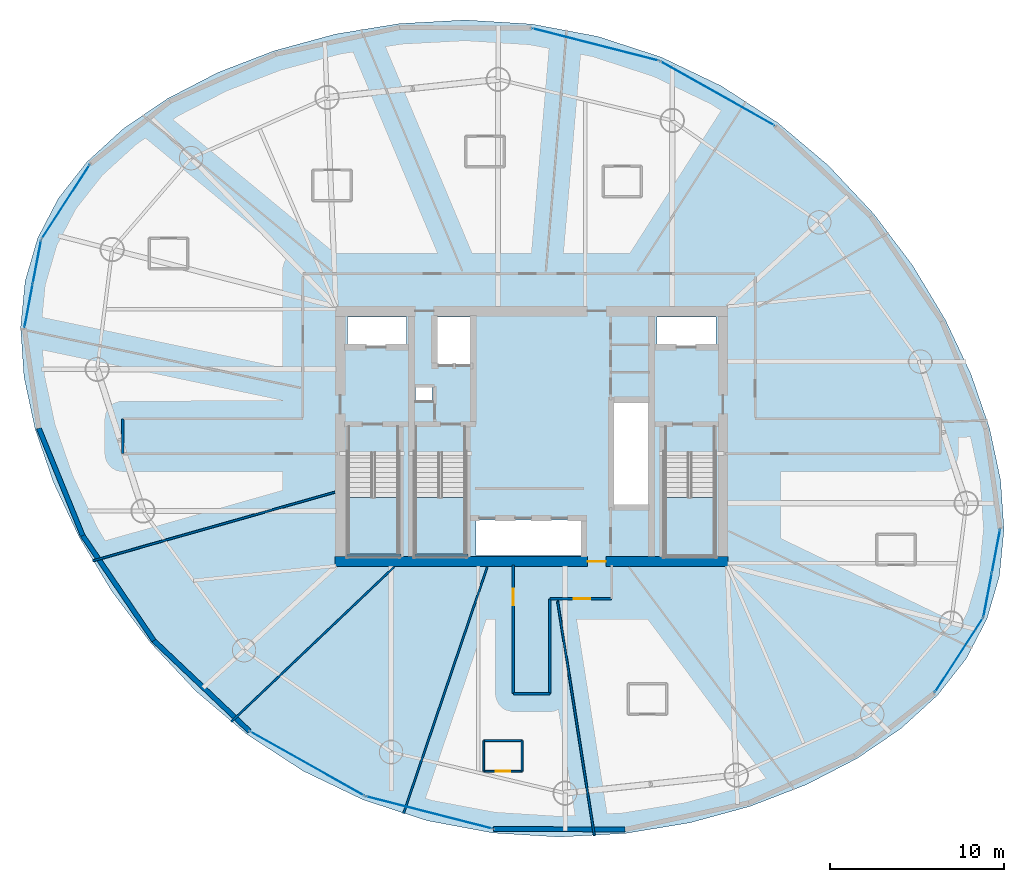
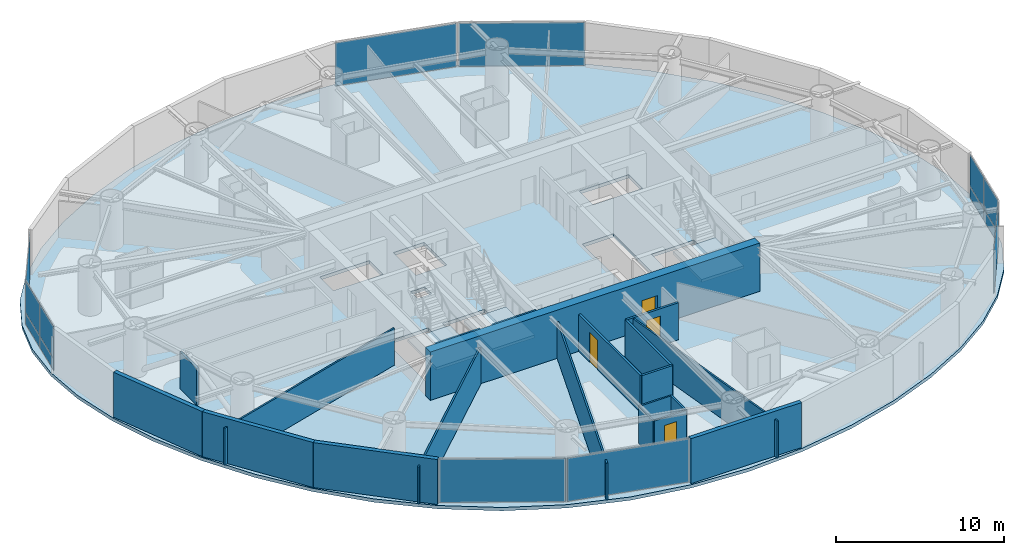
# One storey, part 15 of 22: 20 walls, 14 plates, 4 doors, 4 slabs, 4 openings, 11 elements without a shape of their own.
"""IFC4 building model written with IfcOpenShell, lengths in metres."""

from ifc_helpers import new_model, si_unit, direction, frame, frame_2d, origin, origin_2d, place, context, subcontext, project, spatial, polyline, rectangle, outline, extrude, material, layer, layer_set, type_object, element, fill, aggregate, save


model = new_model("IFC4")

# Units and contexts
model_context = context("Model", 3, precision=1e-05, world=origin(), true_north=direction((0.0, 1.0)))
body_context = subcontext(model_context, "Body", "Model", "MODEL_VIEW")
ifc_project = project(units=[si_unit("LENGTHUNIT", "METRE"), si_unit("AREAUNIT", "SQUARE_METRE"), si_unit("VOLUMEUNIT", "CUBIC_METRE"), si_unit("PLANEANGLEUNIT", "RADIAN"), si_unit("MASSUNIT", "GRAM", prefix="KILO")], contexts=[model_context])

# Site, building, storey
site_placement = place(None, origin())
site = spatial("IfcSite", under=ifc_project, at=site_placement, CompositionType="ELEMENT")
building_placement = place(site_placement, origin())
building = spatial("IfcBuilding", under=site, at=building_placement, Name="Bramvorn Convention Spire", CompositionType="ELEMENT")
storey_placement = place(building_placement, frame((0.0, 0.0, 120.300048828125)))
storey = spatial("IfcBuildingStorey", under=building, at=storey_placement, Name="L29", CompositionType="ELEMENT", Elevation=120.300048828125)

# Curtain wall, plates
ifc_material_1 = material(Name="Anodised Bronze Unitised Curtain Wall", Category="aluminium")
ifc_layer_1 = layer(ifc_material_1, 0.179931640625)
ifc_layer_set_1 = layer_set([ifc_layer_1], Name="Anodised Bronze Unitised Curtain Wall - CW-HTL-FRIT")
curtain_wall_type = type_object("IfcCurtainWallType", Name="CW-HTL-FRIT", PredefinedType="USERDEFINED", material=ifc_layer_set_1)
curtain_wall_1_placement = place(storey_placement, origin())
curtain_wall_1 = element("IfcCurtainWall", 1, at=curtain_wall_1_placement, inside=storey, type_object=curtain_wall_type, Name="L29 fritted glass curtain wall 01", ObjectType="UNITISED CURTAIN WALL", PredefinedType="USERDEFINED")
ifc_material_2 = material(Name="Laminated Low-E Glass (Triple IGU Tapered Ceramic Frit 40%)", Category="glass")
ifc_layer_2 = layer(ifc_material_2, 0.0380859375)
ifc_layer_set_2 = layer_set([ifc_layer_2], Name="Laminated Low-E Glass (Triple IGU Tapered Ceramic Frit 40%) - PNL-IGU-2")
plate_type = type_object("IfcPlateType", Name="PNL-IGU-2", PredefinedType="CURTAIN_PANEL", material=ifc_layer_set_2)
plate_1_placement = place(storey_placement, frame((64.6923828125, 19.384033203125, 0.059814453125), z_axis=(0.0, 0.0, 1.0), x_axis=(-0.18688652933, -0.982381506928, 0.0)))
plate_1 = element("IfcPlate", 2, at=plate_1_placement, type_object=plate_type, Name="CW2 panel 1.1", PredefinedType="CURTAIN_PANEL", context=body_context, shape_type="SweptSolid", body=[
    extrude(rectangle(XDim=2.4970703125, YDim=0.028076171875, at=origin_2d()), origin(), (0.0, 0.0, 1.0), 0.81005859375),
])
plate_2_placement = place(storey_placement, frame((64.6923828125, 19.384033203125, 0.929931640625), z_axis=(0.0, 0.0, 1.0), x_axis=(-0.18688652933, -0.982381506928, 0.0)))
plate_2 = element("IfcPlate", 3, at=plate_2_placement, type_object=plate_type, Name="CW2 panel 1.2", PredefinedType="CURTAIN_PANEL", context=body_context, shape_type="SweptSolid", body=[
    extrude(rectangle(XDim=2.4970703125, YDim=0.028076171875, at=origin_2d()), origin(), (0.0, 0.0, 1.0), 2.27001953125),
])
plate_3_placement = place(storey_placement, frame((64.214599609375, 16.8720703125, 0.059814453125), z_axis=(0.0, 0.0, 1.0), x_axis=(-0.18688652933, -0.982381506928, 0.0)))
plate_3 = element("IfcPlate", 4, at=plate_3_placement, type_object=plate_type, Name="CW2 panel 2.1", PredefinedType="CURTAIN_PANEL", context=body_context, shape_type="SweptSolid", body=[
    extrude(rectangle(XDim=2.4970703125, YDim=0.028076171875, at=origin_2d()), origin(), (0.0, 0.0, 1.0), 0.81005859375),
])
plate_4_placement = place(storey_placement, frame((64.214599609375, 16.8720703125, 0.929931640625), z_axis=(0.0, 0.0, 1.0), x_axis=(-0.18688652933, -0.982381506928, 0.0)))
plate_4 = element("IfcPlate", 5, at=plate_4_placement, type_object=plate_type, Name="CW2 panel 2.2", PredefinedType="CURTAIN_PANEL", context=body_context, shape_type="SweptSolid", body=[
    extrude(rectangle(XDim=2.4970703125, YDim=0.028076171875, at=origin_2d()), origin(), (0.0, 0.0, 1.0), 2.27001953125),
])
aggregate(curtain_wall_1, [plate_1, plate_2, plate_3, plate_4])

# Curtain wall, plate
curtain_wall_2_placement = place(storey_placement, origin())
curtain_wall_2 = element("IfcCurtainWall", 6, at=curtain_wall_2_placement, inside=storey, type_object=curtain_wall_type, Name="L29 fritted glass curtain wall 06", ObjectType="UNITISED CURTAIN WALL", PredefinedType="USERDEFINED")
plate_5_placement = place(storey_placement, frame((48.67919921875, 45.710693359375, 0.06005859375), z_axis=(0.0, 0.0, 1.0), x_axis=(0.871658965818, -0.490112892413, 0.0)))
plate_5 = element("IfcPlate", 7, at=plate_5_placement, type_object=plate_type, Name="CW2 panel 1.1", PredefinedType="CURTAIN_PANEL", context=body_context, shape_type="SweptSolid", body=[
    extrude(rectangle(XDim=7.497314453125, YDim=0.028076171875, at=origin_2d()), origin(), (0.0, 0.0, 1.0), 3.139892578125),
])
aggregate(curtain_wall_2, [plate_5])

curtain_wall_3_placement = place(storey_placement, origin())
curtain_wall_3 = element("IfcCurtainWall", 8, at=curtain_wall_3_placement, inside=storey, type_object=curtain_wall_type, Name="L29 fritted glass curtain wall 07", ObjectType="UNITISED CURTAIN WALL", PredefinedType="USERDEFINED")
plate_6_placement = place(storey_placement, frame((41.66943359375, 48.521484375, 0.06005859375), z_axis=(0.0, 0.0, 1.0), x_axis=(0.968791854942, -0.247875657939, 0.0)))
plate_6 = element("IfcPlate", 9, at=plate_6_placement, type_object=plate_type, Name="CW2 panel 1.1", PredefinedType="CURTAIN_PANEL", context=body_context, shape_type="SweptSolid", body=[
    extrude(rectangle(XDim=7.49755859375, YDim=0.028076171875, at=origin_2d()), origin(), (0.0, 0.0, 1.0), 3.139892578125),
])
aggregate(curtain_wall_3, [plate_6])

curtain_wall_4_placement = place(storey_placement, origin())
curtain_wall_4 = element("IfcCurtainWall", 10, at=curtain_wall_4_placement, inside=storey, type_object=curtain_wall_type, Name="L29 fritted glass curtain wall 12", ObjectType="UNITISED CURTAIN WALL", PredefinedType="USERDEFINED")
plate_7_placement = place(storey_placement, frame((11.208740234375, 39.478271484375, 0.06005859375), z_axis=(0.0, 0.0, 1.0), x_axis=(0.543595007709, 0.839347644063, 0.0)))
plate_7 = element("IfcPlate", 11, at=plate_7_placement, type_object=plate_type, Name="CW2 panel 1.1", PredefinedType="CURTAIN_PANEL", context=body_context, shape_type="SweptSolid", body=[
    extrude(rectangle(XDim=5.05419921875, YDim=0.028076171875, at=origin_2d()), origin(), (0.0, 0.0, 1.0), 3.139892578125),
])
aggregate(curtain_wall_4, [plate_7])

# Curtain wall, plates
curtain_wall_5_placement = place(storey_placement, origin())
curtain_wall_5 = element("IfcCurtainWall", 12, at=curtain_wall_5_placement, inside=storey, type_object=curtain_wall_type, Name="L29 fritted glass curtain wall 13", ObjectType="UNITISED CURTAIN WALL", PredefinedType="USERDEFINED")
plate_8_placement = place(storey_placement, frame((9.080078125, 33.509033203125, 0.059814453125), z_axis=(0.0, 0.0, 1.0), x_axis=(0.186901632162, 0.982378633672, 0.0)))
plate_8 = element("IfcPlate", 13, at=plate_8_placement, type_object=plate_type, Name="CW2 panel 1.1", PredefinedType="CURTAIN_PANEL", context=body_context, shape_type="SweptSolid", body=[
    extrude(rectangle(XDim=2.4970703125, YDim=0.028076171875, at=origin_2d()), origin(), (0.0, 0.0, 1.0), 0.81005859375),
])
plate_9_placement = place(storey_placement, frame((9.080078125, 33.509033203125, 0.929931640625), z_axis=(0.0, 0.0, 1.0), x_axis=(0.186901632162, 0.982378633672, 0.0)))
plate_9 = element("IfcPlate", 14, at=plate_9_placement, type_object=plate_type, Name="CW2 panel 1.2", PredefinedType="CURTAIN_PANEL", context=body_context, shape_type="SweptSolid", body=[
    extrude(rectangle(XDim=2.4970703125, YDim=0.028076171875, at=origin_2d()), origin(), (0.0, 0.0, 1.0), 2.27001953125),
])
plate_10_placement = place(storey_placement, frame((9.557861328125, 36.021240234375, 0.059814453125), z_axis=(0.0, 0.0, 1.0), x_axis=(0.186901632162, 0.982378633672, 0.0)))
plate_10 = element("IfcPlate", 15, at=plate_10_placement, type_object=plate_type, Name="CW2 panel 2.1", PredefinedType="CURTAIN_PANEL", context=body_context, shape_type="SweptSolid", body=[
    extrude(rectangle(XDim=2.4970703125, YDim=0.028076171875, at=origin_2d()), origin(), (0.0, 0.0, 1.0), 0.81005859375),
])
plate_11_placement = place(storey_placement, frame((9.557861328125, 36.021240234375, 0.929931640625), z_axis=(0.0, 0.0, 1.0), x_axis=(0.186901632162, 0.982378633672, 0.0)))
plate_11 = element("IfcPlate", 16, at=plate_11_placement, type_object=plate_type, Name="CW2 panel 2.2", PredefinedType="CURTAIN_PANEL", context=body_context, shape_type="SweptSolid", body=[
    extrude(rectangle(XDim=2.4970703125, YDim=0.028076171875, at=origin_2d()), origin(), (0.0, 0.0, 1.0), 2.27001953125),
])
aggregate(curtain_wall_5, [plate_8, plate_9, plate_10, plate_11])

# Curtain wall, plate
curtain_wall_6_placement = place(storey_placement, origin())
curtain_wall_6 = element("IfcCurtainWall", 17, at=curtain_wall_6_placement, inside=storey, type_object=curtain_wall_type, Name="L29 fritted glass curtain wall 18", ObjectType="UNITISED CURTAIN WALL", PredefinedType="USERDEFINED")
plate_12_placement = place(storey_placement, frame((25.09326171875, 7.182373046875, 0.06005859375), z_axis=(0.0, 0.0, 1.0), x_axis=(-0.871662119203, 0.490107284119, 0.0)))
plate_12 = element("IfcPlate", 18, at=plate_12_placement, type_object=plate_type, Name="CW2 panel 1.1", PredefinedType="CURTAIN_PANEL", context=body_context, shape_type="SweptSolid", body=[
    extrude(rectangle(XDim=7.49755859375, YDim=0.028076171875, at=origin_2d()), origin(), (0.0, 0.0, 1.0), 3.139892578125),
])
aggregate(curtain_wall_6, [plate_12])

curtain_wall_7_placement = place(storey_placement, origin())
curtain_wall_7 = element("IfcCurtainWall", 19, at=curtain_wall_7_placement, inside=storey, type_object=curtain_wall_type, Name="L29 fritted glass curtain wall 19", ObjectType="UNITISED CURTAIN WALL", PredefinedType="USERDEFINED")
plate_13_placement = place(storey_placement, frame((32.10302734375, 4.37158203125, 0.06005859375), z_axis=(0.0, 0.0, 1.0), x_axis=(-0.968791048334, 0.247878810446, 0.0)))
plate_13 = element("IfcPlate", 20, at=plate_13_placement, type_object=plate_type, Name="CW2 panel 1.1", PredefinedType="CURTAIN_PANEL", context=body_context, shape_type="SweptSolid", body=[
    extrude(rectangle(XDim=7.497314453125, YDim=0.028076171875, at=origin_2d()), origin(), (0.0, 0.0, 1.0), 3.139892578125),
])
aggregate(curtain_wall_7, [plate_13])

curtain_wall_8_placement = place(storey_placement, origin())
curtain_wall_8 = element("IfcCurtainWall", 21, at=curtain_wall_8_placement, inside=storey, type_object=curtain_wall_type, Name="L29 fritted glass curtain wall 24", ObjectType="UNITISED CURTAIN WALL", PredefinedType="USERDEFINED")
plate_14_placement = place(storey_placement, frame((62.563720703125, 13.4150390625, 0.06005859375), z_axis=(0.0, 0.0, 1.0), x_axis=(-0.543599805152, -0.839344537028, 0.0)))
plate_14 = element("IfcPlate", 22, at=plate_14_placement, type_object=plate_type, Name="CW2 panel 1.1", PredefinedType="CURTAIN_PANEL", context=body_context, shape_type="SweptSolid", body=[
    extrude(rectangle(XDim=5.054443359375, YDim=0.028076171875, at=origin_2d()), origin(), (0.0, 0.0, 1.0), 3.139892578125),
])
aggregate(curtain_wall_8, [plate_14])

# Stair, slab
ifc_material_3 = material(Name="Concrete C40/50 Precast Stair", Category="concrete")
stair_type = type_object("IfcStairType", Name="ST-TOWER-1550", PredefinedType="HALF_TURN_STAIR", material=ifc_material_3)
stair_1_placement = place(storey_placement, origin())
stair_1 = element("IfcStair", 23, at=stair_1_placement, inside=storey, type_object=stair_type, Name="L29 Protected Exit Stair ST1", PredefinedType="HALF_TURN_STAIR")
ifc_material_4 = material(Name="Concrete C40/50 Stair Landing", Category="concrete")
ifc_layer_3 = layer(ifc_material_4, 0.219970703125)
ifc_layer_set_3 = layer_set([ifc_layer_3], Name="Concrete C40/50 Stair Landing - SLB-STAIR-LANDING")
slab_type_1 = type_object("IfcSlabType", Name="SLB-STAIR-LANDING", PredefinedType="LANDING", material=ifc_layer_set_3)
slab_1_placement = place(storey_placement, frame((0.0, 0.0, 1.550048828125)))
slab_1 = element("IfcSlab", 24, at=slab_1_placement, type_object=slab_type_1, Name="ST1 landing 1", PredefinedType="LANDING", context=body_context, shape_type="SweptSolid", body=[
    extrude(outline(polyline([(27.449951171875, 22.485107421875), (27.449951171875, 19.10009765625), (30.35009765625, 19.10009765625), (30.35009765625, 22.485107421875), (27.449951171875, 22.485107421875)])), origin(), (0.0, 0.0, 1.0), 0.199951171875),
])
aggregate(stair_1, [slab_1])

stair_2_placement = place(storey_placement, origin())
stair_2 = element("IfcStair", 25, at=stair_2_placement, inside=storey, type_object=stair_type, Name="L29 Protected Exit Stair ST2", PredefinedType="HALF_TURN_STAIR")
slab_2_placement = place(storey_placement, frame((0.0, 0.0, 1.550048828125)))
slab_2 = element("IfcSlab", 26, at=slab_2_placement, type_object=slab_type_1, Name="ST2 landing 1", PredefinedType="LANDING", context=body_context, shape_type="SweptSolid", body=[
    extrude(outline(polyline([(45.64990234375, 22.485107421875), (45.64990234375, 19.10009765625), (48.550048828125, 19.10009765625), (48.550048828125, 22.485107421875), (45.64990234375, 22.485107421875)])), origin(), (0.0, 0.0, 1.0), 0.199951171875),
])
aggregate(stair_2, [slab_2])

stair_3_placement = place(storey_placement, origin())
stair_3 = element("IfcStair", 27, at=stair_3_placement, inside=storey, type_object=stair_type, Name="L29 Protected Exit Stair ST3", PredefinedType="HALF_TURN_STAIR")
slab_3_placement = place(storey_placement, frame((0.0, 0.0, 1.550048828125)))
slab_3 = element("IfcSlab", 28, at=slab_3_placement, type_object=slab_type_1, Name="ST3 landing 1", PredefinedType="LANDING", context=body_context, shape_type="SweptSolid", body=[
    extrude(outline(polyline([(31.300048828125, 22.485107421875), (31.300048828125, 19.10009765625), (34.199951171875, 19.10009765625), (34.199951171875, 22.485107421875), (31.300048828125, 22.485107421875)])), origin(), (0.0, 0.0, 1.0), 0.199951171875),
])
aggregate(stair_3, [slab_3])

# Slab
ifc_material_5 = material(Name="Concrete C50/60", Category="concrete")
ifc_layer_4 = layer(ifc_material_5, 0.239990234375)
ifc_layer_set_4 = layer_set([ifc_layer_4], Name="Concrete C50/60 - SLB-Z2-240")
slab_type_2 = type_object("IfcSlabType", Name="SLB-Z2-240", PredefinedType="FLOOR", material=ifc_layer_set_4)
slab_4_placement = place(storey_placement, frame((0.0, 0.0, -0.239990234375)))
element("IfcSlab", 29, at=slab_4_placement, inside=storey, type_object=slab_type_2, Name="L29 tower floor slab", PredefinedType="FLOOR", context=body_context, shape_type="SweptSolid", body=[
    extrude(outline(polyline([(64.17431640625, 15.504638671875), (64.8955078125, 17.979248046875), (65.15380859375, 20.6396484375), (64.958984375, 23.47509765625), (64.323486328125, 26.460205078125), (63.26123046875, 29.551513671875), (61.787109375, 32.688720703125), (59.91748046875, 35.794677734375), (57.670166015625, 38.781494140625), (55.067138671875, 41.557373046875), (52.13671875, 44.03369140625), (48.914794921875, 46.1337890625), (45.44775390625, 47.798095703125), (41.791259765625, 48.990234375), (38.01123046875, 49.69775390625), (34.181884765625, 49.93212890625), (30.382080078125, 49.7236328125), (26.69384765625, 49.116943359375), (23.1962890625, 48.1630859375), (19.963134765625, 46.913330078125), (17.059326171875, 45.412109375), (14.53759765625, 43.693359375), (12.437744140625, 41.778076171875), (10.78662109375, 39.676025390625), (9.598388671875, 37.388671875), (8.876953125, 34.9140625), (8.618408203125, 32.25341796875), (8.8134765625, 29.418212890625), (9.448974609375, 26.43310546875), (10.51123046875, 23.341552734375), (11.985107421875, 20.204345703125), (13.85498046875, 17.098388671875), (16.102294921875, 14.111572265625), (18.705322265625, 11.335693359375), (21.6357421875, 8.859375), (24.857421875, 6.759521484375), (28.32470703125, 5.09521484375), (31.981201171875, 3.903076171875), (35.760986328125, 3.1953125), (39.590576171875, 2.961181640625), (43.39013671875, 3.169677734375), (47.07861328125, 3.7763671875), (50.576171875, 4.72998046875), (53.80908203125, 5.979736328125), (56.713134765625, 7.48095703125), (59.23486328125, 9.199951171875), (61.334716796875, 11.114990234375), (62.98583984375, 13.217041015625), (64.17431640625, 15.504638671875)]), holes=[polyline([(27.449951171875, 25.050048828125), (27.449951171875, 19.10009765625), (30.35009765625, 19.10009765625), (30.35009765625, 25.050048828125), (27.449951171875, 25.050048828125)]), polyline([(45.64990234375, 25.050048828125), (45.64990234375, 19.10009765625), (48.550048828125, 19.10009765625), (48.550048828125, 25.050048828125), (45.64990234375, 25.050048828125)]), polyline([(31.300048828125, 25.050048828125), (31.300048828125, 19.10009765625), (34.199951171875, 19.10009765625), (34.199951171875, 25.050048828125), (31.300048828125, 25.050048828125)]), polyline([(27.39990234375, 31.219970703125), (30.800048828125, 31.219970703125), (30.800048828125, 32.85009765625), (27.39990234375, 32.85009765625), (27.39990234375, 31.219970703125)]), polyline([(45.199951171875, 31.219970703125), (48.60009765625, 31.219970703125), (48.60009765625, 32.85009765625), (45.199951171875, 32.85009765625), (45.199951171875, 31.219970703125)]), polyline([(32.449951171875, 30.14990234375), (34.56005859375, 30.14990234375), (34.56005859375, 32.85009765625), (32.449951171875, 32.85009765625), (32.449951171875, 30.14990234375)]), polyline([(34.800048828125, 19.14990234375), (40.97998046875, 19.14990234375), (40.97998046875, 21.199951171875), (34.800048828125, 21.199951171875), (34.800048828125, 19.14990234375)]), polyline([(42.6201171875, 22.0), (44.75, 22.0), (44.75, 28.0), (42.6201171875, 28.0), (42.6201171875, 22.0)]), polyline([(31.320068359375, 28.02001953125), (32.280029296875, 28.02001953125), (32.280029296875, 28.820068359375), (31.320068359375, 28.820068359375), (31.320068359375, 28.02001953125)])]), origin(), (0.0, 0.0, 1.0), 0.239990234375),
])

# Wall, opening, door
ifc_material_6 = material(Name="Concrete C60/70", Category="concrete")
ifc_layer_5 = layer(ifc_material_6, 0.60009765625)
ifc_layer_set_5 = layer_set([ifc_layer_5], Name="Concrete C60/70 - WL-CORE-600")
wall_type_1 = type_object("IfcWallType", Name="WL-CORE-600", PredefinedType="SHEAR", material=ifc_layer_set_5)
wall_1_placement = place(storey_placement, frame((26.699951171875, 18.800048828125, 0.0), z_axis=(0.0, 0.0, 1.0), x_axis=(1.0, 0.0, 0.0)))
wall_1 = element("IfcWall", 30, at=wall_1_placement, inside=storey, type_object=wall_type_1, Name="L29 South RC core shear wall", PredefinedType="SHEAR", context=body_context, shape_type="SweptSolid", body=[
    extrude(rectangle(XDim=22.60009765625, YDim=0.60009765625, at=frame_2d((11.300048828125, 0.0))), origin(), (0.0, 0.0, 1.0), 3.5),
])
opening_1_placement = place(wall_1_placement, frame((14.52001953125, 0.0, 0.0)))
opening_1 = element("IfcOpeningElement", 31, at=opening_1_placement, cuts=wall_1, Name="Opening DL-105", PredefinedType="OPENING", context=body_context, shape_type="SweptSolid", body=[
    extrude(rectangle(XDim=1.050048828125, YDim=2.14990234375, at=frame_2d((0.52490234375, 1.074951171875))), frame((0.0, 0.31005859375, 0.0), z_axis=(0.0, -1.0, 0.0), x_axis=(1.0, 0.0, 0.0)), (0.0, 0.0, 1.0), 0.6201171875),
])
ifc_material_7 = material(Name="Smoke-Sealed Fire Lobby Timber-Core Door", Category="wood")
door_type_1 = type_object("IfcDoorType", Name="DR-LOBBY-1050", OperationType="NOTDEFINED", PredefinedType="DOOR", material=ifc_material_7)
door_1_placement = place(opening_1_placement, origin())
door_1 = element("IfcDoor", 32, at=door_1_placement, inside=storey, type_object=door_type_1, Name="L29 South Lift Lobby fire door", OperationType="SINGLE_SWING_RIGHT", OverallHeight=2.14990234375, OverallWidth=1.050048828125, PredefinedType="DOOR", context=body_context, shape_type="SweptSolid", body=[
    extrude(rectangle(XDim=1.050048828125, YDim=2.14990234375, at=frame_2d((0.52490234375, 1.074951171875))), frame((0.0, 0.02490234375, 0.0), z_axis=(0.0, -1.0, 0.0), x_axis=(1.0, 0.0, 0.0)), (0.0, 0.0, 1.0), 0.050048828125),
])
fill(opening_1, door_1)

# Walls
ifc_material_8 = material(Name="Precast Concrete C40/50 with Bronze Terracotta Rainscreen", Category="masonry")
ifc_layer_6 = layer(ifc_material_8, 0.300048828125)
ifc_layer_set_6 = layer_set([ifc_layer_6], Name="Precast Concrete C40/50 with Bronze Terracotta Rainscreen - WL-EXT-BRONZE-300")
wall_type_2 = type_object("IfcWallType", Name="WL-EXT-BRONZE-300", PredefinedType="SOLIDWALL", material=ifc_layer_set_6)
wall_2_placement = place(storey_placement, frame((12.1875, 20.291015625, 0.0), z_axis=(0.0, 0.0, 1.0), x_axis=(-0.378465960246, 0.925615209974, 0.0)))
element("IfcWall", 33, at=wall_2_placement, inside=storey, type_object=wall_type_2, Name="L29 expressed bronze Gothic lancet pier wall 15", PredefinedType="SOLIDWALL", context=body_context, shape_type="SweptSolid", body=[
    extrude(rectangle(XDim=6.6650390625, YDim=0.280029296875, at=frame_2d((3.33251953125, 0.0))), origin(), (0.0, 0.0, 1.0), 3.260009765625),
])
wall_3_placement = place(storey_placement, frame((16.278076171875, 14.254638671875, 0.0), z_axis=(0.0, 0.0, 1.0), x_axis=(-0.56098139496, 0.827828408856, 0.0)))
element("IfcWall", 34, at=wall_3_placement, inside=storey, type_object=wall_type_2, Name="L29 expressed bronze Gothic lancet pier wall 16", PredefinedType="SOLIDWALL", context=body_context, shape_type="SweptSolid", body=[
    extrude(rectangle(XDim=7.291748046875, YDim=0.280029296875, at=frame_2d((3.64599609375, 0.0))), origin(), (0.0, 0.0, 1.0), 3.260009765625),
])
wall_4_placement = place(storey_placement, frame((21.773193359375, 9.049072265625, 0.0), z_axis=(0.0, 0.0, 1.0), x_axis=(-0.725974719894, 0.687721386955, 0.0)))
element("IfcWall", 35, at=wall_4_placement, inside=storey, type_object=wall_type_2, Name="L29 expressed bronze Gothic lancet pier wall 17", PredefinedType="SOLIDWALL", context=body_context, shape_type="SweptSolid", body=[
    extrude(rectangle(XDim=7.5693359375, YDim=0.280029296875, at=frame_2d((3.78466796875, 0.0))), origin(), (0.0, 0.0, 1.0), 3.260009765625),
])
wall_5_placement = place(storey_placement, frame((43.36181640625, 3.394287109375, 0.0), z_axis=(0.0, 0.0, 1.0), x_axis=(-0.999990378692, 0.004386630052, 0.0)))
element("IfcWall", 36, at=wall_5_placement, inside=storey, type_object=wall_type_2, Name="L29 expressed bronze Gothic lancet pier wall 20", PredefinedType="SOLIDWALL", context=body_context, shape_type="SweptSolid", body=[
    extrude(rectangle(XDim=7.569091796875, YDim=0.280029296875, at=frame_2d((3.78466796875, 0.0))), origin(), (0.0, 0.0, 1.0), 3.260009765625),
])
ifc_material_9 = material(Name="Lightweight En-Suite & Wet-Wall Partition", Category="gypsum")
ifc_layer_7 = layer(ifc_material_9, 0.110107421875)
ifc_layer_set_7 = layer_set([ifc_layer_7], Name="Lightweight En-Suite & Wet-Wall Partition - WL-PART-110")
wall_type_3 = type_object("IfcWallType", Name="WL-PART-110", PredefinedType="PARTITIONING", material=ifc_layer_set_7)
wall_6_placement = place(storey_placement, frame((26.679931640625, 22.786865234375, 0.0), z_axis=(0.0, 0.0, 1.0), x_axis=(-0.961996623754, -0.273061340883, 0.0)))
element("IfcWall", 37, at=wall_6_placement, inside=storey, type_object=wall_type_3, Name="L29 Guestroom demising wall 8", PredefinedType="PARTITIONING", context=body_context, shape_type="SweptSolid", body=[
    extrude(rectangle(XDim=14.457275390625, YDim=0.110107421875, at=frame_2d((7.228515625, 0.0))), origin(), (0.0, 0.0, 1.0), 2.675048828125),
])
wall_7_placement = place(storey_placement, frame((30.086181640625, 18.47998046875, 0.0), z_axis=(0.0, 0.0, 1.0), x_axis=(-0.724915865707, -0.688837417426, 0.0)))
element("IfcWall", 38, at=wall_7_placement, inside=storey, type_object=wall_type_3, Name="L29 Guestroom demising wall 9", PredefinedType="PARTITIONING", context=body_context, shape_type="SweptSolid", body=[
    extrude(rectangle(XDim=12.911376953125, YDim=0.110107421875, at=frame_2d((6.45556640625, 0.0))), origin(), (0.0, 0.0, 1.0), 2.675048828125),
])
wall_8_placement = place(storey_placement, frame((35.444580078125, 18.47998046875, 0.0), z_axis=(0.0, 0.0, 1.0), x_axis=(-0.321757380661, -0.946822152249, 0.0)))
element("IfcWall", 39, at=wall_8_placement, inside=storey, type_object=wall_type_3, Name="L29 Guestroom demising wall 10", PredefinedType="PARTITIONING", context=body_context, shape_type="SweptSolid", body=[
    extrude(rectangle(XDim=14.966064453125, YDim=0.110107421875, at=frame_2d((7.48291015625, 0.0))), origin(), (0.0, 0.0, 1.0), 2.675048828125),
])
wall_9_placement = place(storey_placement, frame((39.489990234375, 16.510009765625, 0.0), z_axis=(0.0, 0.0, 1.0), x_axis=(0.155102778843, -0.987898338897, 0.0)))
element("IfcWall", 40, at=wall_9_placement, inside=storey, type_object=wall_type_3, Name="L29 Guestroom demising wall 11", PredefinedType="PARTITIONING", context=body_context, shape_type="SweptSolid", body=[
    extrude(rectangle(XDim=13.634521484375, YDim=0.110107421875, at=frame_2d((6.8173828125, 0.0))), origin(), (0.0, 0.0, 1.0), 2.675048828125),
])

# Wall, opening, door
wall_10_placement = place(storey_placement, frame((35.24658203125, 6.74462890625, 0.0), z_axis=(0.0, 0.0, 1.0), x_axis=(1.0, 0.0, 0.0)))
wall_10 = element("IfcWall", 41, at=wall_10_placement, inside=storey, type_object=wall_type_3, Name="Hotel Suite 2910 en-suite south wall", PredefinedType="PARTITIONING", context=body_context, shape_type="SweptSolid", body=[
    extrude(rectangle(XDim=2.2001953125, YDim=0.110107421875, at=frame_2d((1.10009765625, 0.0))), origin(), (0.0, 0.0, 1.0), 2.675048828125),
])
opening_2_placement = place(wall_10_placement, frame((0.679931640625, 0.0, 0.0)))
opening_2 = element("IfcOpeningElement", 42, at=opening_2_placement, cuts=wall_10, Name="Opening DI-085", PredefinedType="OPENING", context=body_context, shape_type="SweptSolid", body=[
    extrude(rectangle(XDim=0.85009765625, YDim=2.10009765625, at=frame_2d((0.425048828125, 1.050048828125))), frame((0.0, 0.06494140625, 0.0), z_axis=(0.0, -1.0, 0.0), x_axis=(1.0, 0.0, 0.0)), (0.0, 0.0, 1.0), 0.130126953125),
])
ifc_material_10 = material(Name="En-Suite & Restroom Privacy Door", Category="wood")
door_type_2 = type_object("IfcDoorType", Name="DR-INT-850", OperationType="NOTDEFINED", PredefinedType="DOOR", material=ifc_material_10)
door_2_placement = place(opening_2_placement, origin())
door_2 = element("IfcDoor", 43, at=door_2_placement, inside=storey, type_object=door_type_2, Name="Hotel Suite 2910 En-Suite Bathroom door", OperationType="SINGLE_SWING_LEFT", OverallHeight=2.10009765625, OverallWidth=0.85009765625, PredefinedType="DOOR", context=body_context, shape_type="SweptSolid", body=[
    extrude(rectangle(XDim=0.85009765625, YDim=2.10009765625, at=frame_2d((0.425048828125, 1.050048828125))), frame((0.0, 0.02490234375, 0.0), z_axis=(0.0, -1.0, 0.0), x_axis=(1.0, 0.0, 0.0)), (0.0, 0.0, 1.0), 0.050048828125),
])
fill(opening_2, door_2)

# Walls
wall_11_placement = place(storey_placement, frame((35.24658203125, 8.504638671875, 0.0), z_axis=(0.0, 0.0, 1.0), x_axis=(1.0, 0.0, 0.0)))
element("IfcWall", 44, at=wall_11_placement, inside=storey, type_object=wall_type_3, Name="Hotel Suite 2910 en-suite north wall", PredefinedType="PARTITIONING", context=body_context, shape_type="SweptSolid", body=[
    extrude(rectangle(XDim=2.2001953125, YDim=0.110107421875, at=frame_2d((1.10009765625, 0.0))), origin(), (0.0, 0.0, 1.0), 2.675048828125),
])
for number, where, z_axis, x_axis, name in (
    (45, (35.24658203125, 6.74462890625, 0.0), (0.0, 0.0, 1.0), (0.0, 1.0, 0.0), "Hotel Suite 2910 en-suite west wall"),
    (46, (37.44677734375, 6.74462890625, 0.0), (0.0, 0.0, 1.0), (0.0, 1.0, 0.0), "Hotel Suite 2910 en-suite east wall"),
):
    element("IfcWall", number, at=place(storey_placement, frame(where, z_axis=z_axis, x_axis=x_axis)), inside=storey, type_object=wall_type_3, Name=name, PredefinedType="PARTITIONING", context=body_context, shape_type="SweptSolid", body=[
        extrude(rectangle(XDim=1.760009765625, YDim=0.110107421875, at=frame_2d((0.8798828125, 0.0))), origin(), (0.0, 0.0, 1.0), 2.675048828125),
    ])
ifc_material_11 = material(Name="Acoustic Metal-Stud Tenant/Corridor Partition", Category="gypsum")
ifc_layer_8 = layer(ifc_material_11, 0.14990234375)
ifc_layer_set_8 = layer_set([ifc_layer_8], Name="Acoustic Metal-Stud Tenant/Corridor Partition - WL-PART-150")
wall_type_4 = type_object("IfcWallType", Name="WL-PART-150", PredefinedType="PARTITIONING", material=ifc_layer_set_8)
wall_12_placement = place(storey_placement, frame((14.5, 25.0, 0.0), z_axis=(0.0, 0.0, 1.0), x_axis=(0.0, 1.0, 0.0)))
element("IfcWall", 47, at=wall_12_placement, inside=storey, type_object=wall_type_4, Name="L29 West wing spine end wall", PredefinedType="PARTITIONING", context=body_context, shape_type="SweptSolid", body=[
    extrude(rectangle(XDim=2.0, YDim=0.14990234375, at=frame_2d((1.0, 0.0))), origin(), (0.0, 0.0, 1.0), 2.675048828125),
])

# Wall, opening, door
wall_13_placement = place(storey_placement, frame((36.949951171875, 11.199951171875, 0.0), z_axis=(0.0, 0.0, 1.0), x_axis=(0.0, 1.0, 0.0)))
wall_13 = element("IfcWall", 48, at=wall_13_placement, inside=storey, type_object=wall_type_4, Name="L29 South axial spine west wall", PredefinedType="PARTITIONING", context=body_context, shape_type="SweptSolid", body=[
    extrude(rectangle(XDim=7.400146484375, YDim=0.14990234375, at=frame_2d((3.7001953125, 0.0))), origin(), (0.0, 0.0, 1.0), 2.675048828125),
])
opening_3_placement = place(wall_13_placement, frame((5.074951171875, 0.0, 0.0)))
opening_3 = element("IfcOpeningElement", 49, at=opening_3_placement, cuts=wall_13, Name="Opening DH-095", PredefinedType="OPENING", context=body_context, shape_type="SweptSolid", body=[
    extrude(rectangle(XDim=0.949951171875, YDim=2.14990234375, at=frame_2d((0.47509765625, 1.074951171875))), frame((0.0, 0.0849609375, 0.0), z_axis=(0.0, -1.0, 0.0), x_axis=(1.0, 0.0, 0.0)), (0.0, 0.0, 1.0), 0.169921875),
])
ifc_material_12 = material(Name="Solid-Core Acoustic Guestroom Entry Door", Category="wood")
door_type_3 = type_object("IfcDoorType", Name="DR-HOTEL-950", OperationType="NOTDEFINED", PredefinedType="DOOR", material=ifc_material_12)
door_3_placement = place(opening_3_placement, origin())
door_3 = element("IfcDoor", 50, at=door_3_placement, inside=storey, type_object=door_type_3, Name="Hotel Suite 2910 entry door", OperationType="SINGLE_SWING_LEFT", OverallHeight=2.14990234375, OverallWidth=0.949951171875, PredefinedType="DOOR", context=body_context, shape_type="SweptSolid", body=[
    extrude(rectangle(XDim=0.949951171875, YDim=2.14990234375, at=frame_2d((0.47509765625, 1.074951171875))), frame((0.0, 0.02490234375, 0.0), z_axis=(0.0, -1.0, 0.0), x_axis=(1.0, 0.0, 0.0)), (0.0, 0.0, 1.0), 0.050048828125),
])
fill(opening_3, door_3)

# Wall
wall_14_placement = place(storey_placement, frame((39.050048828125, 11.199951171875, 0.0), z_axis=(0.0, 0.0, 1.0), x_axis=(0.0, 1.0, 0.0)))
element("IfcWall", 51, at=wall_14_placement, inside=storey, type_object=wall_type_4, Name="L29 South axial spine east wall", PredefinedType="PARTITIONING", context=body_context, shape_type="SweptSolid", body=[
    extrude(rectangle(XDim=5.449951171875, YDim=0.14990234375, at=frame_2d((2.72509765625, 0.0))), origin(), (0.0, 0.0, 1.0), 2.675048828125),
])

# Wall, opening, door
wall_15_placement = place(storey_placement, frame((39.050048828125, 16.64990234375, 0.0), z_axis=(0.0, 0.0, 1.0), x_axis=(1.0, 0.0, 0.0)))
wall_15 = element("IfcWall", 52, at=wall_15_placement, inside=storey, type_object=wall_type_4, Name="L29 South lift lobby link wall", PredefinedType="PARTITIONING", context=body_context, shape_type="SweptSolid", body=[
    extrude(rectangle(XDim=3.550048828125, YDim=0.14990234375, at=frame_2d((1.77490234375, 0.0))), origin(), (0.0, 0.0, 1.0), 2.675048828125),
])
opening_4_placement = place(wall_15_placement, frame((1.370361328125, 0.0, 0.0)))
opening_4 = element("IfcOpeningElement", 53, at=opening_4_placement, cuts=wall_15, Name="Opening DH-095", PredefinedType="OPENING", context=body_context, shape_type="SweptSolid", body=[
    extrude(rectangle(XDim=0.949951171875, YDim=2.14990234375, at=frame_2d((0.47509765625, 1.074951171875))), frame((0.0, 0.0849609375, 0.0), z_axis=(0.0, -1.0, 0.0), x_axis=(1.0, 0.0, 0.0)), (0.0, 0.0, 1.0), 0.169921875),
])
door_4_placement = place(opening_4_placement, origin())
door_4 = element("IfcDoor", 54, at=door_4_placement, inside=storey, type_object=door_type_3, Name="Hotel Suite 2911 entry door", OperationType="SINGLE_SWING_RIGHT", OverallHeight=2.14990234375, OverallWidth=0.949951171875, PredefinedType="DOOR", context=body_context, shape_type="SweptSolid", body=[
    extrude(rectangle(XDim=0.949951171875, YDim=2.14990234375, at=frame_2d((0.47509765625, 1.074951171875))), frame((0.0, 0.02490234375, 0.0), z_axis=(0.0, -1.0, 0.0), x_axis=(1.0, 0.0, 0.0)), (0.0, 0.0, 1.0), 0.050048828125),
])
fill(opening_4, door_4)

# Walls
wall_16_placement = place(storey_placement, frame((36.949951171875, 11.199951171875, 0.0), z_axis=(0.0, 0.0, 1.0), x_axis=(1.0, 0.0, 0.0)))
element("IfcWall", 55, at=wall_16_placement, inside=storey, type_object=wall_type_4, Name="L29 South axial spine end wall", PredefinedType="PARTITIONING", context=body_context, shape_type="SweptSolid", body=[
    extrude(rectangle(XDim=2.10009765625, YDim=0.14990234375, at=frame_2d((1.050048828125, 0.0))), origin(), (0.0, 0.0, 1.0), 2.675048828125),
])
ifc_layer_9 = layer(ifc_material_5, 0.1201171875)
ifc_layer_set_9 = layer_set([ifc_layer_9], Name="Concrete C50/60 - WL-STAIR-RC-120")
wall_type_5 = type_object("IfcWallType", Name="WL-STAIR-RC-120", PredefinedType="SHEAR", material=ifc_layer_set_9)
wall_17_placement = place(storey_placement, frame((27.39501953125, 19.159912109375, 0.0), z_axis=(0.0, 0.0, 1.0), x_axis=(1.0, 0.0, 0.0)))
element("IfcWall", 56, at=wall_17_placement, inside=storey, type_object=wall_type_5, Name="L29 ST1 south bearing shear wall", PredefinedType="SHEAR", context=body_context, shape_type="SweptSolid", body=[
    extrude(rectangle(XDim=3.094970703125, YDim=0.1201171875, at=frame_2d((1.54736328125, 0.0))), origin(), (0.0, 0.0, 1.0), 3.5),
])
wall_18_placement = place(storey_placement, frame((31.300048828125, 19.159912109375, 0.0), z_axis=(0.0, 0.0, 1.0), x_axis=(1.0, 0.0, 0.0)))
element("IfcWall", 57, at=wall_18_placement, inside=storey, type_object=wall_type_5, Name="L29 ST3 south bearing shear wall", PredefinedType="SHEAR", context=body_context, shape_type="SweptSolid", body=[
    extrude(rectangle(XDim=3.0400390625, YDim=0.1201171875, at=frame_2d((1.52001953125, 0.0))), origin(), (0.0, 0.0, 1.0), 3.5),
])

save(model, "model.ifc")
